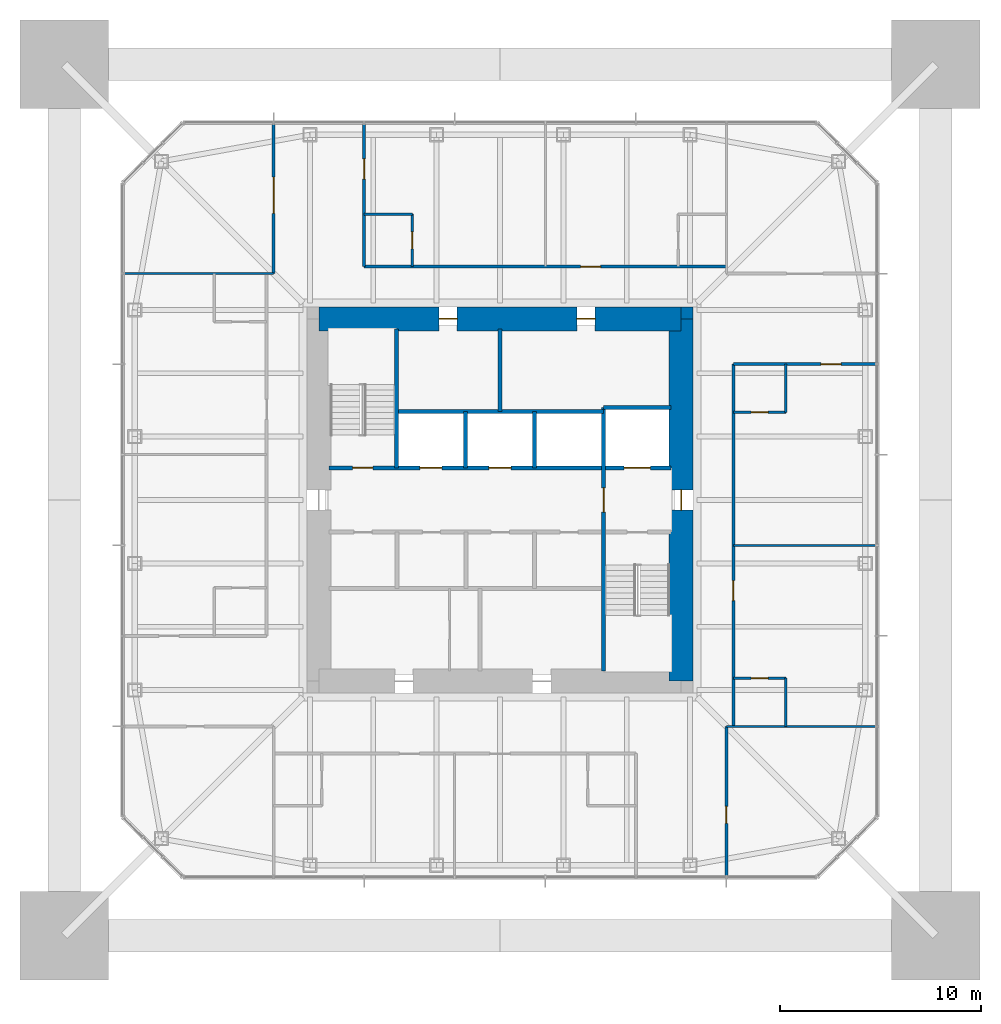
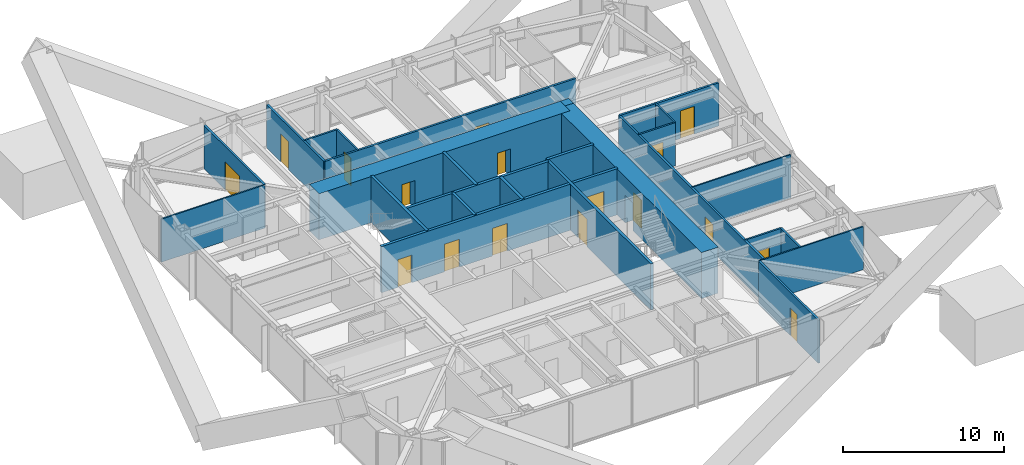
# One storey, part 9 of 13: 26 walls, 17 doors, 17 openings.
"""IFC4 building model written with IfcOpenShell, lengths in metres."""

import ifcopenshell
import ifcopenshell.guid

model = None  # the IFC model being written
_history = None  # IfcOwnerHistory: only IFC2X3 demands one
_inside = {}  # id of a spatial element -> (the spatial element, [elements in it])
_under = {}  # id of a project, library or spatial element -> (it, [spatial elements below it])
_declared = {}  # id of a project -> (the project, [libraries it declares])
_typed = {}  # id of a type object -> (the type object, [elements of that type])
_made_of = {}  # id of a material, layer set ... -> (it, [elements and type objects made of it])


def new_model(schema):
    """Start an empty IFC model of exactly this schema.

    Asked for "IFC4X3", IfcOpenShell would pick the latest addendum, in which some entities
    have other attributes; the version numbers below select the first issue.
    IFC2X3 requires an IfcOwnerHistory on every rooted entity: one is made here for all.
    """
    global model, _history
    if schema == "IFC4X3":
        model = ifcopenshell.file(schema_version=(4, 3, 0, 0))
    else:
        model = ifcopenshell.file(schema=schema)
    _inside.clear()
    _under.clear()
    _declared.clear()
    _typed.clear()
    _made_of.clear()
    _history = None
    if model.schema == "IFC2X3":
        org = make("IfcOrganization", Name="unknown")
        user = make(
            "IfcPersonAndOrganization",
            ThePerson=make("IfcPerson", FamilyName="unknown"),
            TheOrganization=org,
        )
        app = make(
            "IfcApplication",
            ApplicationDeveloper=org,
            Version="unknown",
            ApplicationFullName="unknown",
            ApplicationIdentifier="unknown",
        )
        _history = make(
            "IfcOwnerHistory",
            OwningUser=user,
            OwningApplication=app,
            ChangeAction="ADDED",
            CreationDate=0,
        )
    return model


def make(cls, **values):
    """One entity of the class cls with the attributes given. An attribute that is None is left unset."""
    return model.create_entity(
        cls, **{name: value for name, value in values.items() if value is not None}
    )


def rooted(cls, **values):
    """An entity with a GlobalId (a new one), such as an element, a storey or a relation."""
    return make(cls, GlobalId=ifcopenshell.guid.new(), OwnerHistory=_history, **values)


def si_unit(unit_type, name, prefix=None):
    """IfcSIUnit, for example si_unit("LENGTHUNIT", "METRE", prefix="MILLI")."""
    return make("IfcSIUnit", UnitType=unit_type, Prefix=prefix, Name=name)


def assignment(units):
    """IfcUnitAssignment: the units of a project."""
    return None if units is None else make("IfcUnitAssignment", Units=units)


def point(xyz):
    """IfcCartesianPoint."""
    return None if xyz is None else make("IfcCartesianPoint", Coordinates=xyz)


def direction(xyz):
    """IfcDirection."""
    return None if xyz is None else make("IfcDirection", DirectionRatios=xyz)


def frame(location, z_axis=None, x_axis=None):
    """IfcAxis2Placement3D, a coordinate frame: its origin and axes. An axis left out is left unset."""
    return make(
        "IfcAxis2Placement3D",
        Location=point(location),
        Axis=direction(z_axis),
        RefDirection=direction(x_axis),
    )


def frame_2d(location, x_axis=None):
    """IfcAxis2Placement2D, a coordinate frame in the plane: its origin and x axis."""
    return make(
        "IfcAxis2Placement2D", Location=point(location), RefDirection=direction(x_axis)
    )


def origin():
    """The frame at (0, 0, 0) with its axes left unset."""
    return frame((0.0, 0.0, 0.0))


def place(relative_to, where):
    """IfcLocalPlacement: puts the frame where relative to a parent placement (None: the world)."""
    return make(
        "IfcLocalPlacement", PlacementRelTo=relative_to, RelativePlacement=where
    )


def context(
    kind, dimensions, precision=None, world=None, true_north=None, identifier=None
):
    """IfcGeometricRepresentationContext, for example the 3D "Model" context."""
    return make(
        "IfcGeometricRepresentationContext",
        ContextIdentifier=identifier,
        ContextType=kind,
        CoordinateSpaceDimension=dimensions,
        Precision=precision,
        WorldCoordinateSystem=world,
        TrueNorth=true_north,
    )


def subcontext(parent, identifier, kind, view, scale=None):
    """IfcGeometricRepresentationSubContext, for example "Body" below "Model"."""
    return make(
        "IfcGeometricRepresentationSubContext",
        ContextIdentifier=identifier,
        ContextType=kind,
        ParentContext=parent,
        TargetScale=scale,
        TargetView=view,
    )


def project(units=None, contexts=None):
    """IfcProject with its units and contexts."""
    return rooted(
        "IfcProject",
        Name="project",
        RepresentationContexts=contexts,
        UnitsInContext=assignment(units),
    )


def spatial(cls, under=None, at=None, **own):
    """A site, building, storey or space (cls), placed at a placement, below another one or the project."""
    s = rooted(cls, ObjectPlacement=at, **own)
    if under is not None:
        _under.setdefault(under.id(), (under, []))[1].append(s)
    return s


def profile(cls, at=None, kind="AREA", **sizes):
    """A parametric profile (cls). Its sizes go by their IFC names, for example OverallWidth=200.0."""
    return make(cls, ProfileType=kind, Position=at, **sizes)


def rectangle(**sizes):
    """IfcRectangleProfileDef."""
    return profile("IfcRectangleProfileDef", **sizes)


def extrude(swept, where, along, depth):
    """IfcExtrudedAreaSolid: the profile swept, set in the frame where, extruded along a direction by depth."""
    return make(
        "IfcExtrudedAreaSolid",
        SweptArea=swept,
        Position=where,
        ExtrudedDirection=direction(along),
        Depth=depth,
    )


def shape(context_of_items, identifier, shape_type, items):
    """IfcShapeRepresentation: the items that make up one representation, for example the "Body"."""
    return make(
        "IfcShapeRepresentation",
        ContextOfItems=context_of_items,
        RepresentationIdentifier=identifier,
        RepresentationType=shape_type,
        Items=items,
    )


def material(Name=None, Category=None):
    """IfcMaterial."""
    return make("IfcMaterial", Name=Name, Category=Category)


def layer(
    of_material, thickness, ventilated=None, Name=None, Category=None, Priority=None
):
    """IfcMaterialLayer: one layer of a wall or slab, of a material (None: an air gap)."""
    return make(
        "IfcMaterialLayer",
        Material=of_material,
        LayerThickness=thickness,
        IsVentilated=ventilated,
        Name=Name,
        Category=Category,
        Priority=Priority,
    )


def layer_set(layers, Name=None):
    """IfcMaterialLayerSet."""
    return make("IfcMaterialLayerSet", MaterialLayers=layers, LayerSetName=Name)


def made_of(thing, what):
    """Note that an element or type object is made of a material, layer set ...; save() writes the relation."""
    if what is not None:
        _made_of.setdefault(what.id(), (what, []))[1].append(thing)
    return thing


def type_object(cls, material=None, **own):
    """A type object (cls), such as IfcWallType, which elements share."""
    return made_of(rooted(cls, **own), material)


def element(
    cls,
    number,
    at=None,
    inside=None,
    cuts=None,
    type_object=None,
    material=None,
    context=None,
    identifier="Body",
    shape_type=None,
    held_by="IfcProductDefinitionShape",
    body=None,
    shapes=None,
    **own,
):
    """One element of the class cls, such as IfcWall. Its Tag is "e" and its number.

    at: its placement. inside: the storey or other place that contains it. cuts: it is an
    opening in that element (IfcRelVoidsElement). A single representation is given by context,
    identifier, shape_type and body (its items); several are given by shapes. held_by: the class
    of the entity that holds the representations. save() writes the other relations.
    """
    e = rooted(cls, Tag="e%d" % number, ObjectPlacement=at, **own)
    if body is not None:
        shapes = [shape(context, identifier, shape_type, body)]
    if shapes is not None:
        e.Representation = make(held_by, Representations=shapes)
    if inside is not None:
        _inside.setdefault(inside.id(), (inside, []))[1].append(e)
    if cuts is not None:
        rooted(
            "IfcRelVoidsElement", RelatingBuildingElement=cuts, RelatedOpeningElement=e
        )
    if type_object is not None:
        _typed.setdefault(type_object.id(), (type_object, []))[1].append(e)
    return made_of(e, material)


def fill(opening, filler):
    """IfcRelFillsElement: the door or window that sits in an opening."""
    return rooted(
        "IfcRelFillsElement",
        RelatingOpeningElement=opening,
        RelatedBuildingElement=filler,
    )


def aggregate(whole, parts):
    """IfcRelAggregates: a whole, such as a stair, and the parts it consists of."""
    return rooted("IfcRelAggregates", RelatingObject=whole, RelatedObjects=parts)


def save(model, path):
    """Write the relations noted so far, then the file.

    IfcRelAggregates (storeys below a building ...), IfcRelContainedInSpatialStructure (elements
    in a storey), IfcRelDefinesByType, IfcRelAssociatesMaterial and IfcRelDeclares: one each for
    every whole, place, type object, material and project.
    """
    for whole, parts in _under.values():
        aggregate(whole, parts)
    for where, things in _inside.values():
        rooted(
            "IfcRelContainedInSpatialStructure",
            RelatedElements=things,
            RelatingStructure=where,
        )
    for kind, things in _typed.values():
        rooted("IfcRelDefinesByType", RelatedObjects=things, RelatingType=kind)
    for what, things in _made_of.values():
        rooted("IfcRelAssociatesMaterial", RelatedObjects=things, RelatingMaterial=what)
    for by, libraries in _declared.values():
        rooted("IfcRelDeclares", RelatingContext=by, RelatedDefinitions=libraries)
    model.write(path)


model = new_model("IFC4")

# Units and contexts
model_context = context("Model", 3, precision=1e-05, world=origin(), true_north=direction((0.0, 1.0)))
body_context = subcontext(model_context, "Body", "Model", "MODEL_VIEW")
ifc_project = project(units=[si_unit("LENGTHUNIT", "METRE"), si_unit("AREAUNIT", "SQUARE_METRE"), si_unit("VOLUMEUNIT", "CUBIC_METRE"), si_unit("PLANEANGLEUNIT", "RADIAN"), si_unit("MASSUNIT", "GRAM", prefix="KILO")], contexts=[model_context])

# Site, building, storey
site_placement = place(None, origin())
site = spatial("IfcSite", under=ifc_project, at=site_placement, CompositionType="ELEMENT")
building_placement = place(site_placement, origin())
building = spatial("IfcBuilding", under=site, at=building_placement, Name="Iwan Alto Co-Living Towers", CompositionType="ELEMENT")
storey_placement = place(building_placement, frame((0.0, 0.0, 198.5)))
storey = spatial("IfcBuildingStorey", under=building, at=storey_placement, Name="L54", CompositionType="ELEMENT", Elevation=198.5)

# Wall, opening, door
ifc_material_1 = material(Name="Gypsum board")
ifc_layer_1 = layer(ifc_material_1, 0.02490234375, Name="Board", Category="Finish")
ifc_material_2 = material(Name="Steel ASTM A1003 ST33H cold-formed studs", Category="steel")
ifc_layer_2 = layer(ifc_material_2, 0.10009765625, Name="Studs", Category="Framing")
ifc_layer_3 = layer(ifc_material_1, 0.02490234375, Name="Board", Category="Finish")
ifc_layer_set_1 = layer_set([ifc_layer_1, ifc_layer_2, ifc_layer_3], Name="CORRIDOR WALL 150")
wall_type_1 = type_object("IfcWallType", Name="CORRIDOR WALL 150", PredefinedType="PARTITIONING", material=ifc_layer_set_1)
wall_1_placement = place(storey_placement, frame((11.60009765625, 6.75, 0.0), z_axis=(0.0, 0.0, 1.0), x_axis=(1.0, 0.0, 0.0)))
wall_1 = element("IfcWall", 1, at=wall_1_placement, inside=storey, type_object=wall_type_1, Name="Partition L54", PredefinedType="PARTITIONING", context=body_context, shape_type="SweptSolid", body=[
    extrude(rectangle(XDim=7.08984375, YDim=0.14990234375, at=frame_2d((3.544921875, 0.0))), origin(), (0.0, 0.0, 1.0), 3.27001953125),
])
opening_1_placement = place(wall_1_placement, frame((4.344970703125, 0.0, 0.0)))
opening_1 = element("IfcOpeningElement", 2, at=opening_1_placement, cuts=wall_1, Name="Opening D3", PredefinedType="OPENING", context=body_context, shape_type="SweptSolid", body=[
    extrude(rectangle(XDim=1.0, YDim=2.10009765625, at=frame_2d((0.5, 1.050048828125))), frame((0.0, 0.0849609375, 0.0), z_axis=(0.0, -1.0, 0.0), x_axis=(1.0, 0.0, 0.0)), (0.0, 0.0, 1.0), 0.169921875),
])
ifc_material_3 = material(Name="Steel frame with timber leaf", Category="steel")
door_type_1 = type_object("IfcDoorType", Name="FLAT ENTRANCE DOOR FD30S 1000X2100", OperationType="SINGLE_SWING_LEFT", PredefinedType="DOOR", material=ifc_material_3)
door_1_placement = place(opening_1_placement, frame((1.0, 0.0, 0.0), z_axis=(0.0, 0.0, 1.0), x_axis=(-1.0, 0.0, 0.0)))
door_1 = element("IfcDoor", 3, at=door_1_placement, inside=storey, type_object=door_type_1, Name="Studio door L54", OperationType="SINGLE_SWING_RIGHT", OverallHeight=2.10009765625, OverallWidth=1.0, PredefinedType="DOOR", context=body_context, shape_type="SweptSolid", body=[
    extrude(rectangle(XDim=1.0, YDim=2.10009765625, at=frame_2d((0.5, 1.050048828125))), frame((0.0, 0.02490234375, 0.0), z_axis=(0.0, -1.0, 0.0), x_axis=(1.0, 0.0, 0.0)), (0.0, 0.0, 1.0), 0.050048828125),
])
fill(opening_1, door_1)

wall_2_placement = place(storey_placement, frame((-6.75, 11.60009765625, 0.0), z_axis=(0.0, 0.0, 1.0), x_axis=(1.0, 0.0, 0.0)))
wall_2 = element("IfcWall", 4, at=wall_2_placement, inside=storey, type_object=wall_type_1, Name="Partition L54", PredefinedType="PARTITIONING", context=body_context, shape_type="SweptSolid", body=[
    extrude(rectangle(XDim=18.0, YDim=0.14990234375, at=frame_2d((9.0, 0.0))), origin(), (0.0, 0.0, 1.0), 3.27001953125),
])
opening_2_placement = place(wall_2_placement, frame((10.75, 0.0, 0.0)))
opening_2 = element("IfcOpeningElement", 5, at=opening_2_placement, cuts=wall_2, Name="Opening D3", PredefinedType="OPENING", context=body_context, shape_type="SweptSolid", body=[
    extrude(rectangle(XDim=1.0, YDim=2.10009765625, at=frame_2d((0.5, 1.050048828125))), frame((0.0, 0.0849609375, 0.0), z_axis=(0.0, -1.0, 0.0), x_axis=(1.0, 0.0, 0.0)), (0.0, 0.0, 1.0), 0.169921875),
])
door_2_placement = place(opening_2_placement, origin())
door_2 = element("IfcDoor", 6, at=door_2_placement, inside=storey, type_object=door_type_1, Name="Studio door L54", OperationType="SINGLE_SWING_LEFT", OverallHeight=2.10009765625, OverallWidth=1.0, PredefinedType="DOOR", context=body_context, shape_type="SweptSolid", body=[
    extrude(rectangle(XDim=1.0, YDim=2.10009765625, at=frame_2d((0.5, 1.050048828125))), frame((0.0, 0.02490234375, 0.0), z_axis=(0.0, -1.0, 0.0), x_axis=(1.0, 0.0, 0.0)), (0.0, 0.0, 1.0), 0.050048828125),
])
fill(opening_2, door_2)

wall_3_placement = place(storey_placement, frame((11.60009765625, -11.25, 0.0), z_axis=(0.0, 0.0, 1.0), x_axis=(0.0, 1.0, 0.0)))
wall_3 = element("IfcWall", 7, at=wall_3_placement, inside=storey, type_object=wall_type_1, Name="Partition L54", PredefinedType="PARTITIONING", context=body_context, shape_type="SweptSolid", body=[
    extrude(rectangle(XDim=18.0, YDim=0.14990234375, at=frame_2d((9.0, 0.0))), origin(), (0.0, 0.0, 1.0), 3.27001953125),
])
opening_3_placement = place(wall_3_placement, frame((6.25, 0.0, 0.0)))
opening_3 = element("IfcOpeningElement", 8, at=opening_3_placement, cuts=wall_3, Name="Opening D3", PredefinedType="OPENING", context=body_context, shape_type="SweptSolid", body=[
    extrude(rectangle(XDim=1.0, YDim=2.10009765625, at=frame_2d((0.5, 1.050048828125))), frame((0.0, 0.0849609375, 0.0), z_axis=(0.0, -1.0, 0.0), x_axis=(1.0, 0.0, 0.0)), (0.0, 0.0, 1.0), 0.169921875),
])
door_3_placement = place(opening_3_placement, frame((1.0, 0.0, 0.0), z_axis=(0.0, 0.0, 1.0), x_axis=(-1.0, 0.0, 0.0)))
door_3 = element("IfcDoor", 9, at=door_3_placement, inside=storey, type_object=door_type_1, Name="Studio door L54", OperationType="SINGLE_SWING_LEFT", OverallHeight=2.10009765625, OverallWidth=1.0, PredefinedType="DOOR", context=body_context, shape_type="SweptSolid", body=[
    extrude(rectangle(XDim=1.0, YDim=2.10009765625, at=frame_2d((0.5, 1.050048828125))), frame((0.0, 0.02490234375, 0.0), z_axis=(0.0, -1.0, 0.0), x_axis=(1.0, 0.0, 0.0)), (0.0, 0.0, 1.0), 0.050048828125),
])
fill(opening_3, door_3)

wall_4_placement = place(storey_placement, frame((11.25, -18.68994140625, 0.0), z_axis=(0.0, 0.0, 1.0), x_axis=(0.0, 1.0, 0.0)))
wall_4 = element("IfcWall", 10, at=wall_4_placement, inside=storey, type_object=wall_type_1, Name="Partition L54", PredefinedType="PARTITIONING", context=body_context, shape_type="SweptSolid", body=[
    extrude(rectangle(XDim=7.43994140625, YDim=0.14990234375, at=frame_2d((3.719970703125, 0.0))), origin(), (0.0, 0.0, 1.0), 3.27001953125),
])
opening_4_placement = place(wall_4_placement, frame((2.6201171875, 0.0, 0.0)))
opening_4 = element("IfcOpeningElement", 11, at=opening_4_placement, cuts=wall_4, Name="Opening D2", PredefinedType="OPENING", context=body_context, shape_type="SweptSolid", body=[
    extrude(rectangle(XDim=0.85009765625, YDim=2.10009765625, at=frame_2d((0.425048828125, 1.050048828125))), frame((0.0, 0.0849609375, 0.0), z_axis=(0.0, -1.0, 0.0), x_axis=(1.0, 0.0, 0.0)), (0.0, 0.0, 1.0), 0.169921875),
])
ifc_material_4 = material(Name="Timber leaf in steel frame", Category="steel")
door_type_2 = type_object("IfcDoorType", Name="ROOM DOOR 850X2100", OperationType="SINGLE_SWING_LEFT", PredefinedType="DOOR", material=ifc_material_4)
door_4_placement = place(opening_4_placement, frame((0.85009765625, 0.0, 0.0), z_axis=(0.0, 0.0, 1.0), x_axis=(-1.0, 0.0, 0.0)))
door_4 = element("IfcDoor", 12, at=door_4_placement, inside=storey, type_object=door_type_2, Name="Shared kitchen and lounge door L54", OperationType="SINGLE_SWING_RIGHT", OverallHeight=2.10009765625, OverallWidth=0.85009765625, PredefinedType="DOOR", context=body_context, shape_type="SweptSolid", body=[
    extrude(rectangle(XDim=0.85009765625, YDim=2.10009765625, at=frame_2d((0.425048828125, 1.050048828125))), frame((0.0, 0.02490234375, 0.0), z_axis=(0.0, -1.0, 0.0), x_axis=(1.0, 0.0, 0.0)), (0.0, 0.0, 1.0), 0.050048828125),
])
fill(opening_4, door_4)

wall_5_placement = place(storey_placement, frame((-6.75, 11.60009765625, 0.0), z_axis=(0.0, 0.0, 1.0), x_axis=(0.0, 1.0, 0.0)))
wall_5 = element("IfcWall", 13, at=wall_5_placement, inside=storey, type_object=wall_type_1, Name="Partition L54", PredefinedType="PARTITIONING", context=body_context, shape_type="SweptSolid", body=[
    extrude(rectangle(XDim=7.08984375, YDim=0.14990234375, at=frame_2d((3.544921875, 0.0))), origin(), (0.0, 0.0, 1.0), 3.27001953125),
])
opening_5_placement = place(wall_5_placement, frame((4.344970703125, 0.0, 0.0)))
opening_5 = element("IfcOpeningElement", 14, at=opening_5_placement, cuts=wall_5, Name="Opening D3", PredefinedType="OPENING", context=body_context, shape_type="SweptSolid", body=[
    extrude(rectangle(XDim=1.0, YDim=2.10009765625, at=frame_2d((0.5, 1.050048828125))), frame((0.0, 0.0849609375, 0.0), z_axis=(0.0, -1.0, 0.0), x_axis=(1.0, 0.0, 0.0)), (0.0, 0.0, 1.0), 0.169921875),
])
door_5_placement = place(opening_5_placement, frame((1.0, 0.0, 0.0), z_axis=(0.0, 0.0, 1.0), x_axis=(-1.0, 0.0, 0.0)))
door_5 = element("IfcDoor", 15, at=door_5_placement, inside=storey, type_object=door_type_1, Name="Studio door L54", OperationType="SINGLE_SWING_RIGHT", OverallHeight=2.10009765625, OverallWidth=1.0, PredefinedType="DOOR", context=body_context, shape_type="SweptSolid", body=[
    extrude(rectangle(XDim=1.0, YDim=2.10009765625, at=frame_2d((0.5, 1.050048828125))), frame((0.0, 0.02490234375, 0.0), z_axis=(0.0, -1.0, 0.0), x_axis=(1.0, 0.0, 0.0)), (0.0, 0.0, 1.0), 0.050048828125),
])
fill(opening_5, door_5)

wall_6_placement = place(storey_placement, frame((-11.25, 11.25, 0.0), z_axis=(0.0, 0.0, 1.0), x_axis=(0.0, 1.0, 0.0)))
wall_6 = element("IfcWall", 16, at=wall_6_placement, inside=storey, type_object=wall_type_1, Name="Partition L54", PredefinedType="PARTITIONING", context=body_context, shape_type="SweptSolid", body=[
    extrude(rectangle(XDim=7.43994140625, YDim=0.14990234375, at=frame_2d((3.719970703125, 0.0))), origin(), (0.0, 0.0, 1.0), 3.27001953125),
])
opening_6_placement = place(wall_6_placement, frame((2.9951171875, 0.0, 0.0)))
opening_6 = element("IfcOpeningElement", 17, at=opening_6_placement, cuts=wall_6, Name="Opening D9", PredefinedType="OPENING", context=body_context, shape_type="SweptSolid", body=[
    extrude(rectangle(XDim=1.800048828125, YDim=2.10009765625, at=frame_2d((0.89990234375, 1.050048828125))), frame((0.0, 0.0849609375, 0.0), z_axis=(0.0, -1.0, 0.0), x_axis=(1.0, 0.0, 0.0)), (0.0, 0.0, 1.0), 0.169921875),
])
ifc_material_5 = material(Name="Steel frame with timber leaf", Category="steel")
door_type_3 = type_object("IfcDoorType", Name="LOUNGE DOOR FD30S 1800X2100", OperationType="DOUBLE_DOOR_SINGLE_SWING", PredefinedType="DOOR", material=ifc_material_5)
door_6_placement = place(opening_6_placement, origin())
door_6 = element("IfcDoor", 18, at=door_6_placement, inside=storey, type_object=door_type_3, Name="Courtyard lounge door L54", OperationType="DOUBLE_DOOR_SINGLE_SWING", OverallHeight=2.10009765625, OverallWidth=1.800048828125, PredefinedType="DOOR", context=body_context, shape_type="SweptSolid", body=[
    extrude(rectangle(XDim=1.800048828125, YDim=2.10009765625, at=frame_2d((0.89990234375, 1.050048828125))), frame((0.0, 0.02490234375, 0.0), z_axis=(0.0, -1.0, 0.0), x_axis=(1.0, 0.0, 0.0)), (0.0, 0.0, 1.0), 0.050048828125),
])
fill(opening_6, door_6)

# Walls
ifc_layer_4 = layer(ifc_material_1, 0.012451171875, Name="Board", Category="Finish")
ifc_layer_5 = layer(ifc_material_2, 0.074951171875, Name="Studs", Category="Framing")
ifc_layer_6 = layer(ifc_material_1, 0.012451171875, Name="Board", Category="Finish")
ifc_layer_set_2 = layer_set([ifc_layer_4, ifc_layer_5, ifc_layer_6], Name="PARTITION 100")
wall_type_2 = type_object("IfcWallType", Name="PARTITION 100", PredefinedType="PARTITIONING", material=ifc_layer_set_2)
wall_7_placement = place(storey_placement, frame((11.25, -11.25, 0.0), z_axis=(0.0, 0.0, 1.0), x_axis=(1.0, 0.0, 0.0)))
element("IfcWall", 19, at=wall_7_placement, inside=storey, type_object=wall_type_2, Name="Partition L54", PredefinedType="PARTITIONING", context=body_context, shape_type="SweptSolid", body=[
    extrude(rectangle(XDim=7.43994140625, YDim=0.10009765625, at=frame_2d((3.719970703125, 0.0))), origin(), (0.0, 0.0, 1.0), 3.27001953125),
])
wall_8_placement = place(storey_placement, frame((11.60009765625, -2.25, 0.0), z_axis=(0.0, 0.0, 1.0), x_axis=(1.0, 0.0, 0.0)))
element("IfcWall", 20, at=wall_8_placement, inside=storey, type_object=wall_type_2, Name="Partition L54", PredefinedType="PARTITIONING", context=body_context, shape_type="SweptSolid", body=[
    extrude(rectangle(XDim=7.08984375, YDim=0.10009765625, at=frame_2d((3.544921875, 0.0))), origin(), (0.0, 0.0, 1.0), 3.27001953125),
])
wall_9_placement = place(storey_placement, frame((-18.68994140625, 11.25, 0.0), z_axis=(0.0, 0.0, 1.0), x_axis=(1.0, 0.0, 0.0)))
element("IfcWall", 21, at=wall_9_placement, inside=storey, type_object=wall_type_2, Name="Partition L54", PredefinedType="PARTITIONING", context=body_context, shape_type="SweptSolid", body=[
    extrude(rectangle(XDim=7.43994140625, YDim=0.10009765625, at=frame_2d((3.719970703125, 0.0))), origin(), (0.0, 0.0, 1.0), 3.27001953125),
])

# Wall, openings, doors
ifc_material_6 = material(Name="Concrete f'c 70 MPa", Category="concrete")
ifc_layer_7 = layer(ifc_material_6, 0.199951171875)
ifc_layer_set_3 = layer_set([ifc_layer_7], Name="SHAFT WALL 200")
wall_type_3 = type_object("IfcWallType", Name="SHAFT WALL 200", PredefinedType="SOLIDWALL", material=ifc_layer_set_3)
wall_10_placement = place(storey_placement, frame((-8.489990234375, 1.60009765625, 0.0), z_axis=(0.0, 0.0, 1.0), x_axis=(1.0, 0.0, 0.0)))
wall_10 = element("IfcWall", 22, at=wall_10_placement, inside=storey, type_object=wall_type_3, Name="Shaft wall L54", PredefinedType="SOLIDWALL", context=body_context, shape_type="SweptSolid", body=[
    extrude(rectangle(XDim=16.97998046875, YDim=0.199951171875, at=frame_2d((8.489990234375, 0.0))), origin(), (0.0, 0.0, 1.0), 3.5),
])
opening_7_placement = place(wall_10_placement, frame((1.169921875, 0.0, 0.0)))
opening_7 = element("IfcOpeningElement", 23, at=opening_7_placement, cuts=wall_10, Name="Opening D5", PredefinedType="OPENING", context=body_context, shape_type="SweptSolid", body=[
    extrude(rectangle(XDim=1.0, YDim=2.10009765625, at=frame_2d((0.5, 1.050048828125))), frame((0.0, 0.10986328125, 0.0), z_axis=(0.0, -1.0, 0.0), x_axis=(1.0, 0.0, 0.0)), (0.0, 0.0, 1.0), 0.219970703125),
])
opening_8_placement = place(wall_10_placement, frame((4.506103515625, 0.0, 0.0)))
opening_8 = element("IfcOpeningElement", 24, at=opening_8_placement, cuts=wall_10, Name="Opening LD", PredefinedType="OPENING", context=body_context, shape_type="SweptSolid", body=[
    extrude(rectangle(XDim=1.10009765625, YDim=2.10009765625, at=frame_2d((0.550048828125, 1.050048828125))), frame((0.0, 0.10986328125, 0.0), z_axis=(0.0, -1.0, 0.0), x_axis=(1.0, 0.0, 0.0)), (0.0, 0.0, 1.0), 0.219970703125),
])
opening_9_placement = place(wall_10_placement, frame((7.93994140625, 0.0, 0.0)))
opening_9 = element("IfcOpeningElement", 25, at=opening_9_placement, cuts=wall_10, Name="Opening LD", PredefinedType="OPENING", context=body_context, shape_type="SweptSolid", body=[
    extrude(rectangle(XDim=1.10009765625, YDim=2.10009765625, at=frame_2d((0.550048828125, 1.050048828125))), frame((0.0, 0.10986328125, 0.0), z_axis=(0.0, -1.0, 0.0), x_axis=(1.0, 0.0, 0.0)), (0.0, 0.0, 1.0), 0.219970703125),
])
opening_10_placement = place(wall_10_placement, frame((14.659912109375, 0.0, 0.0)))
opening_10 = element("IfcOpeningElement", 26, at=opening_10_placement, cuts=wall_10, Name="Opening LD2", PredefinedType="OPENING", context=body_context, shape_type="SweptSolid", body=[
    extrude(rectangle(XDim=1.300048828125, YDim=2.10009765625, at=frame_2d((0.64990234375, 1.050048828125))), frame((0.0, 0.10986328125, 0.0), z_axis=(0.0, -1.0, 0.0), x_axis=(1.0, 0.0, 0.0)), (0.0, 0.0, 1.0), 0.219970703125),
])
ifc_material_7 = material(Name="Steel frame with timber leaf", Category="steel")
door_type_4 = type_object("IfcDoorType", Name="LIFT LANDING DOOR 1100X2100", OperationType="DOUBLE_DOOR_SLIDING", PredefinedType="DOOR", material=ifc_material_7)
door_7_placement = place(opening_8_placement, origin())
door_7 = element("IfcDoor", 27, at=door_7_placement, inside=storey, type_object=door_type_4, Name="Lift P3-1 landing door L54", OperationType="DOUBLE_DOOR_SLIDING", OverallHeight=2.10009765625, OverallWidth=1.10009765625, PredefinedType="DOOR", context=body_context, shape_type="SweptSolid", body=[
    extrude(rectangle(XDim=1.10009765625, YDim=2.10009765625, at=frame_2d((0.550048828125, 1.050048828125))), frame((0.0, 0.02490234375, 0.0), z_axis=(0.0, -1.0, 0.0), x_axis=(1.0, 0.0, 0.0)), (0.0, 0.0, 1.0), 0.050048828125),
])
fill(opening_8, door_7)
door_8_placement = place(opening_9_placement, origin())
door_8 = element("IfcDoor", 28, at=door_8_placement, inside=storey, type_object=door_type_4, Name="Lift P3-2 landing door L54", OperationType="DOUBLE_DOOR_SLIDING", OverallHeight=2.10009765625, OverallWidth=1.10009765625, PredefinedType="DOOR", context=body_context, shape_type="SweptSolid", body=[
    extrude(rectangle(XDim=1.10009765625, YDim=2.10009765625, at=frame_2d((0.550048828125, 1.050048828125))), frame((0.0, 0.02490234375, 0.0), z_axis=(0.0, -1.0, 0.0), x_axis=(1.0, 0.0, 0.0)), (0.0, 0.0, 1.0), 0.050048828125),
])
fill(opening_9, door_8)
ifc_material_8 = material(Name="Steel frame with timber leaf", Category="steel")
door_type_5 = type_object("IfcDoorType", Name="LIFT LANDING DOOR 1300X2100", OperationType="SLIDING_TO_LEFT", PredefinedType="DOOR", material=ifc_material_8)
door_9_placement = place(opening_10_placement, origin())
door_9 = element("IfcDoor", 29, at=door_9_placement, inside=storey, type_object=door_type_5, Name="Lift FL1 landing door L54", OperationType="SLIDING_TO_LEFT", OverallHeight=2.10009765625, OverallWidth=1.300048828125, PredefinedType="DOOR", context=body_context, shape_type="SweptSolid", body=[
    extrude(rectangle(XDim=1.300048828125, YDim=2.10009765625, at=frame_2d((0.64990234375, 1.050048828125))), frame((0.0, 0.02490234375, 0.0), z_axis=(0.0, -1.0, 0.0), x_axis=(1.0, 0.0, 0.0)), (0.0, 0.0, 1.0), 0.050048828125),
])
fill(opening_10, door_9)
ifc_material_9 = material(Name="Steel frame with timber leaf", Category="steel")
door_type_6 = type_object("IfcDoorType", Name="STAIR DOOR FD120S 1000X2100", OperationType="SINGLE_SWING_LEFT", PredefinedType="DOOR", material=ifc_material_9)
door_10_placement = place(opening_7_placement, origin())
door_10 = element("IfcDoor", 30, at=door_10_placement, inside=storey, type_object=door_type_6, Name="Stair S1 door L54", OperationType="SINGLE_SWING_RIGHT", OverallHeight=2.10009765625, OverallWidth=1.0, PredefinedType="DOOR", context=body_context, shape_type="SweptSolid", body=[
    extrude(rectangle(XDim=1.0, YDim=2.10009765625, at=frame_2d((0.5, 1.050048828125))), frame((0.0, 0.02490234375, 0.0), z_axis=(0.0, -1.0, 0.0), x_axis=(1.0, 0.0, 0.0)), (0.0, 0.0, 1.0), 0.050048828125),
])
fill(opening_7, door_10)

# Walls
wall_11_placement = place(storey_placement, frame((-5.14990234375, 4.39990234375, 0.0), z_axis=(0.0, 0.0, 1.0), x_axis=(1.0, 0.0, 0.0)))
element("IfcWall", 31, at=wall_11_placement, inside=storey, type_object=wall_type_3, Name="Shaft wall L54", PredefinedType="SOLIDWALL", context=body_context, shape_type="SweptSolid", body=[
    extrude(rectangle(XDim=10.2998046875, YDim=0.199951171875, at=frame_2d((5.14990234375, 0.0))), origin(), (0.0, 0.0, 1.0), 3.5),
])
wall_12_placement = place(storey_placement, frame((5.14990234375, 4.60009765625, 0.0), z_axis=(0.0, 0.0, 1.0), x_axis=(1.0, 0.0, 0.0)))
element("IfcWall", 32, at=wall_12_placement, inside=storey, type_object=wall_type_3, Name="Shaft wall L54", PredefinedType="SOLIDWALL", context=body_context, shape_type="SweptSolid", body=[
    extrude(rectangle(XDim=3.340087890625, YDim=0.199951171875, at=frame_2d((1.669921875, 0.0))), origin(), (0.0, 0.0, 1.0), 3.5),
])

# Wall, opening, door
wall_13_placement = place(storey_placement, frame((5.14990234375, -8.489990234375, 0.0), z_axis=(0.0, 0.0, 1.0), x_axis=(0.0, 1.0, 0.0)))
wall_13 = element("IfcWall", 33, at=wall_13_placement, inside=storey, type_object=wall_type_3, Name="Shaft wall L54", PredefinedType="SOLIDWALL", context=body_context, shape_type="SweptSolid", body=[
    extrude(rectangle(XDim=13.090087890625, YDim=0.199951171875, at=frame_2d((6.544921875, 0.0))), origin(), (0.0, 0.0, 1.0), 3.5),
])
opening_11_placement = place(wall_13_placement, frame((7.889892578125, 0.0, 0.0)))
opening_11 = element("IfcOpeningElement", 34, at=opening_11_placement, cuts=wall_13, Name="Opening D6", PredefinedType="OPENING", context=body_context, shape_type="SweptSolid", body=[
    extrude(rectangle(XDim=1.199951171875, YDim=2.10009765625, at=frame_2d((0.60009765625, 1.050048828125))), frame((0.0, 0.10986328125, 0.0), z_axis=(0.0, -1.0, 0.0), x_axis=(1.0, 0.0, 0.0)), (0.0, 0.0, 1.0), 0.219970703125),
])
ifc_material_10 = material(Name="Steel frame with timber leaf", Category="steel")
door_type_7 = type_object("IfcDoorType", Name="LOBBY DOOR FD120S 1200X2100", OperationType="SINGLE_SWING_LEFT", PredefinedType="DOOR", material=ifc_material_10)
door_11_placement = place(opening_11_placement, frame((1.199951171875, 0.0, 0.0), z_axis=(0.0, 0.0, 1.0), x_axis=(-1.0, 0.0, 0.0)))
door_11 = element("IfcDoor", 35, at=door_11_placement, inside=storey, type_object=door_type_7, Name="Firefighting lobby door L54", OperationType="SINGLE_SWING_RIGHT", OverallHeight=2.10009765625, OverallWidth=1.199951171875, PredefinedType="DOOR", context=body_context, shape_type="SweptSolid", body=[
    extrude(rectangle(XDim=1.199951171875, YDim=2.10009765625, at=frame_2d((0.60009765625, 1.050048828125))), frame((0.0, 0.02490234375, 0.0), z_axis=(0.0, -1.0, 0.0), x_axis=(1.0, 0.0, 0.0)), (0.0, 0.0, 1.0), 0.050048828125),
])
fill(opening_11, door_11)

# Walls
wall_14_placement = place(storey_placement, frame((1.717041015625, 1.60009765625, 0.0), z_axis=(0.0, 0.0, 1.0), x_axis=(0.0, 1.0, 0.0)))
element("IfcWall", 36, at=wall_14_placement, inside=storey, type_object=wall_type_3, Name="Shaft wall L54", PredefinedType="SOLIDWALL", context=body_context, shape_type="SweptSolid", body=[
    extrude(rectangle(XDim=2.7998046875, YDim=0.199951171875, at=frame_2d((1.39990234375, 0.0))), origin(), (0.0, 0.0, 1.0), 3.5),
])
wall_15_placement = place(storey_placement, frame((0.0, 4.39990234375, 0.0), z_axis=(0.0, 0.0, 1.0), x_axis=(0.0, 1.0, 0.0)))
element("IfcWall", 37, at=wall_15_placement, inside=storey, type_object=wall_type_3, Name="Shaft wall L54", PredefinedType="SOLIDWALL", context=body_context, shape_type="SweptSolid", body=[
    extrude(rectangle(XDim=4.090087890625, YDim=0.199951171875, at=frame_2d((2.044921875, 0.0))), origin(), (0.0, 0.0, 1.0), 3.5),
])
wall_16_placement = place(storey_placement, frame((-1.717041015625, 1.60009765625, 0.0), z_axis=(0.0, 0.0, 1.0), x_axis=(0.0, 1.0, 0.0)))
element("IfcWall", 38, at=wall_16_placement, inside=storey, type_object=wall_type_3, Name="Shaft wall L54", PredefinedType="SOLIDWALL", context=body_context, shape_type="SweptSolid", body=[
    extrude(rectangle(XDim=2.7998046875, YDim=0.199951171875, at=frame_2d((1.39990234375, 0.0))), origin(), (0.0, 0.0, 1.0), 3.5),
])
wall_17_placement = place(storey_placement, frame((-5.14990234375, 1.60009765625, 0.0), z_axis=(0.0, 0.0, 1.0), x_axis=(0.0, 1.0, 0.0)))
element("IfcWall", 39, at=wall_17_placement, inside=storey, type_object=wall_type_3, Name="Shaft wall L54", PredefinedType="SOLIDWALL", context=body_context, shape_type="SweptSolid", body=[
    extrude(rectangle(XDim=6.889892578125, YDim=0.199951171875, at=frame_2d((3.44482421875, 0.0))), origin(), (0.0, 0.0, 1.0), 3.5),
])
ifc_material_11 = material(Name="Concrete f'c 70 MPa", Category="concrete")
ifc_layer_8 = layer(ifc_material_11, 0.60009765625)
ifc_layer_set_4 = layer_set([ifc_layer_8], Name="T1 CORE CORNER FILL 600")
wall_type_4 = type_object("IfcWallType", Name="T1 CORE CORNER FILL 600", PredefinedType="SOLIDWALL", material=ifc_layer_set_4)
wall_18_placement = place(storey_placement, frame((9.0, 9.300048828125, 0.0), z_axis=(0.0, 0.0, 1.0), x_axis=(1.0, 0.0, 0.0)))
element("IfcWall", 40, at=wall_18_placement, inside=storey, type_object=wall_type_4, Name="T1 core corner NE L54", PredefinedType="SOLIDWALL", context=body_context, shape_type="SweptSolid", body=[
    extrude(rectangle(XDim=0.60009765625, YDim=0.60009765625, at=frame_2d((0.300048828125, 0.0))), origin(), (0.0, 0.0, 1.0), 3.5),
])

# Wall, openings, doors
ifc_material_12 = material(Name="Concrete f'c 70 MPa", Category="concrete")
ifc_layer_9 = layer(ifc_material_12, 1.199951171875)
ifc_layer_set_5 = layer_set([ifc_layer_9], Name="T1 CORE WALL 1200")
wall_type_5 = type_object("IfcWallType", Name="T1 CORE WALL 1200", PredefinedType="SHEAR", material=ifc_layer_set_5)
wall_19_placement = place(storey_placement, frame((9.0, 9.0, 0.0), z_axis=(0.0, 0.0, 1.0), x_axis=(-1.0, 0.0, 0.0)))
wall_19 = element("IfcWall", 41, at=wall_19_placement, inside=storey, type_object=wall_type_5, Name="T1 core wall N L54", PredefinedType="SHEAR", context=body_context, shape_type="SweptSolid", body=[
    extrude(rectangle(XDim=18.0, YDim=1.199951171875, at=frame_2d((9.0, 0.0))), origin(), (0.0, 0.0, 1.0), 3.5),
])
opening_12_placement = place(wall_19_placement, frame((11.125, 0.0, 0.0)))
opening_12 = element("IfcOpeningElement", 42, at=opening_12_placement, cuts=wall_19, Name="Opening D8", PredefinedType="OPENING", context=body_context, shape_type="SweptSolid", body=[
    extrude(rectangle(XDim=0.89990234375, YDim=2.10009765625, at=frame_2d((0.449951171875, 1.050048828125))), frame((0.0, 0.60986328125, 0.0), z_axis=(0.0, -1.0, 0.0), x_axis=(1.0, 0.0, 0.0)), (0.0, 0.0, 1.0), 1.219970703125),
])
opening_13_placement = place(wall_19_placement, frame((4.27490234375, 0.0, 0.0)))
opening_13 = element("IfcOpeningElement", 43, at=opening_13_placement, cuts=wall_19, Name="Opening D8", PredefinedType="OPENING", context=body_context, shape_type="SweptSolid", body=[
    extrude(rectangle(XDim=0.89990234375, YDim=2.10009765625, at=frame_2d((0.449951171875, 1.050048828125))), frame((0.0, 0.60986328125, 0.0), z_axis=(0.0, -1.0, 0.0), x_axis=(1.0, 0.0, 0.0)), (0.0, 0.0, 1.0), 1.219970703125),
])
ifc_material_13 = material(Name="Steel frame with timber leaf", Category="steel")
door_type_8 = type_object("IfcDoorType", Name="RISER DOOR FD120 900X2100", OperationType="SINGLE_SWING_LEFT", PredefinedType="DOOR", material=ifc_material_13)
door_12_placement = place(opening_12_placement, origin())
door_12 = element("IfcDoor", 44, at=door_12_placement, inside=storey, type_object=door_type_8, Name="Electrical riser core door L54", OperationType="SINGLE_SWING_RIGHT", OverallHeight=2.10009765625, OverallWidth=0.89990234375, PredefinedType="DOOR", context=body_context, shape_type="SweptSolid", body=[
    extrude(rectangle(XDim=0.89990234375, YDim=2.10009765625, at=frame_2d((0.449951171875, 1.050048828125))), frame((0.0, 0.02490234375, 0.0), z_axis=(0.0, -1.0, 0.0), x_axis=(1.0, 0.0, 0.0)), (0.0, 0.0, 1.0), 0.050048828125),
])
fill(opening_12, door_12)
door_13_placement = place(opening_13_placement, origin())
door_13 = element("IfcDoor", 45, at=door_13_placement, inside=storey, type_object=door_type_8, Name="Water and drainage riser core door L54", OperationType="SINGLE_SWING_RIGHT", OverallHeight=2.10009765625, OverallWidth=0.89990234375, PredefinedType="DOOR", context=body_context, shape_type="SweptSolid", body=[
    extrude(rectangle(XDim=0.89990234375, YDim=2.10009765625, at=frame_2d((0.449951171875, 1.050048828125))), frame((0.0, 0.02490234375, 0.0), z_axis=(0.0, -1.0, 0.0), x_axis=(1.0, 0.0, 0.0)), (0.0, 0.0, 1.0), 0.050048828125),
])
fill(opening_13, door_13)

# Wall, opening, door
wall_20_placement = place(storey_placement, frame((9.0, -9.0, 0.0), z_axis=(0.0, 0.0, 1.0), x_axis=(0.0, 1.0, 0.0)))
wall_20 = element("IfcWall", 46, at=wall_20_placement, inside=storey, type_object=wall_type_5, Name="T1 core wall E L54", PredefinedType="SHEAR", context=body_context, shape_type="SweptSolid", body=[
    extrude(rectangle(XDim=18.0, YDim=1.199951171875, at=frame_2d((9.0, 0.0))), origin(), (0.0, 0.0, 1.0), 3.5),
])
opening_14_placement = place(wall_20_placement, frame((8.5, 0.0, 0.0)))
opening_14 = element("IfcOpeningElement", 47, at=opening_14_placement, cuts=wall_20, Name="Opening D7", PredefinedType="OPENING", context=body_context, shape_type="SweptSolid", body=[
    extrude(rectangle(XDim=1.0, YDim=2.10009765625, at=frame_2d((0.5, 1.050048828125))), frame((0.0, 0.60986328125, 0.0), z_axis=(0.0, -1.0, 0.0), x_axis=(1.0, 0.0, 0.0)), (0.0, 0.0, 1.0), 1.219970703125),
])
ifc_material_14 = material(Name="Steel frame with timber leaf", Category="steel")
door_type_9 = type_object("IfcDoorType", Name="CORE DOOR FD120S 1000X2100", OperationType="SINGLE_SWING_LEFT", PredefinedType="DOOR", material=ifc_material_14)
door_14_placement = place(opening_14_placement, origin())
door_14 = element("IfcDoor", 48, at=door_14_placement, inside=storey, type_object=door_type_9, Name="Firefighting lobby core door L54", OperationType="SINGLE_SWING_LEFT", OverallHeight=2.10009765625, OverallWidth=1.0, PredefinedType="DOOR", context=body_context, shape_type="SweptSolid", body=[
    extrude(rectangle(XDim=1.0, YDim=2.10009765625, at=frame_2d((0.5, 1.050048828125))), frame((0.0, 0.02490234375, 0.0), z_axis=(0.0, -1.0, 0.0), x_axis=(1.0, 0.0, 0.0)), (0.0, 0.0, 1.0), 0.050048828125),
])
fill(opening_14, door_14)

ifc_material_15 = material(Name="Cement board")
ifc_layer_10 = layer(ifc_material_15, 0.012451171875, Name="Board", Category="Finish")
ifc_layer_11 = layer(ifc_material_2, 0.094970703125, Name="Studs", Category="Framing")
ifc_layer_12 = layer(ifc_material_15, 0.012451171875, Name="Board", Category="Finish")
ifc_layer_set_6 = layer_set([ifc_layer_10, ifc_layer_11, ifc_layer_12], Name="WET AREA PARTITION 120")
wall_type_6 = type_object("IfcWallType", Name="WET AREA PARTITION 120", PredefinedType="PARTITIONING", material=ifc_layer_set_6)
wall_21_placement = place(storey_placement, frame((11.60009765625, -8.85009765625, 0.0), z_axis=(0.0, 0.0, 1.0), x_axis=(1.0, 0.0, 0.0)))
wall_21 = element("IfcWall", 49, at=wall_21_placement, inside=storey, type_object=wall_type_6, Name="Partition L54", PredefinedType="PARTITIONING", context=body_context, shape_type="SweptSolid", body=[
    extrude(rectangle(XDim=2.599853515625, YDim=0.1201171875, at=frame_2d((1.2998046875, 0.0))), origin(), (0.0, 0.0, 1.0), 3.27001953125),
])
opening_15_placement = place(wall_21_placement, frame((0.875, 0.0, 0.0)))
opening_15 = element("IfcOpeningElement", 50, at=opening_15_placement, cuts=wall_21, Name="Opening D2", PredefinedType="OPENING", context=body_context, shape_type="SweptSolid", body=[
    extrude(rectangle(XDim=0.85009765625, YDim=2.10009765625, at=frame_2d((0.425048828125, 1.050048828125))), frame((0.0, 0.070068359375, 0.0), z_axis=(0.0, -1.0, 0.0), x_axis=(1.0, 0.0, 0.0)), (0.0, 0.0, 1.0), 0.14013671875),
])
door_15_placement = place(opening_15_placement, origin())
door_15 = element("IfcDoor", 51, at=door_15_placement, inside=storey, type_object=door_type_2, Name="En-suite shower room door L54", OperationType="SINGLE_SWING_LEFT", OverallHeight=2.10009765625, OverallWidth=0.85009765625, PredefinedType="DOOR", context=body_context, shape_type="SweptSolid", body=[
    extrude(rectangle(XDim=0.85009765625, YDim=2.10009765625, at=frame_2d((0.425048828125, 1.050048828125))), frame((0.0, 0.02490234375, 0.0), z_axis=(0.0, -1.0, 0.0), x_axis=(1.0, 0.0, 0.0)), (0.0, 0.0, 1.0), 0.050048828125),
])
fill(opening_15, door_15)

wall_22_placement = place(storey_placement, frame((11.60009765625, 4.35009765625, 0.0), z_axis=(0.0, 0.0, 1.0), x_axis=(1.0, 0.0, 0.0)))
wall_22 = element("IfcWall", 52, at=wall_22_placement, inside=storey, type_object=wall_type_6, Name="Partition L54", PredefinedType="PARTITIONING", context=body_context, shape_type="SweptSolid", body=[
    extrude(rectangle(XDim=2.599853515625, YDim=0.1201171875, at=frame_2d((1.2998046875, 0.0))), origin(), (0.0, 0.0, 1.0), 3.27001953125),
])
opening_16_placement = place(wall_22_placement, frame((0.875, 0.0, 0.0)))
opening_16 = element("IfcOpeningElement", 53, at=opening_16_placement, cuts=wall_22, Name="Opening D2", PredefinedType="OPENING", context=body_context, shape_type="SweptSolid", body=[
    extrude(rectangle(XDim=0.85009765625, YDim=2.10009765625, at=frame_2d((0.425048828125, 1.050048828125))), frame((0.0, 0.070068359375, 0.0), z_axis=(0.0, -1.0, 0.0), x_axis=(1.0, 0.0, 0.0)), (0.0, 0.0, 1.0), 0.14013671875),
])
door_16_placement = place(opening_16_placement, frame((0.85009765625, 0.0, 0.0), z_axis=(0.0, 0.0, 1.0), x_axis=(-1.0, 0.0, 0.0)))
door_16 = element("IfcDoor", 54, at=door_16_placement, inside=storey, type_object=door_type_2, Name="En-suite shower room door L54", OperationType="SINGLE_SWING_RIGHT", OverallHeight=2.10009765625, OverallWidth=0.85009765625, PredefinedType="DOOR", context=body_context, shape_type="SweptSolid", body=[
    extrude(rectangle(XDim=0.85009765625, YDim=2.10009765625, at=frame_2d((0.425048828125, 1.050048828125))), frame((0.0, 0.02490234375, 0.0), z_axis=(0.0, -1.0, 0.0), x_axis=(1.0, 0.0, 0.0)), (0.0, 0.0, 1.0), 0.050048828125),
])
fill(opening_16, door_16)

# Walls
for number, where, z_axis, x_axis, name in (
    (55, (-6.75, 14.199951171875, 0.0), (0.0, 0.0, 1.0), (1.0, 0.0, 0.0), "Partition L54"),
    (56, (14.199951171875, -11.25, 0.0), (0.0, 0.0, 1.0), (0.0, 1.0, 0.0), "Partition L54"),
    (57, (14.199951171875, 4.35009765625, 0.0), (0.0, 0.0, 1.0), (0.0, 1.0, 0.0), "Partition L54"),
):
    element("IfcWall", number, at=place(storey_placement, frame(where, z_axis=z_axis, x_axis=x_axis)), inside=storey, type_object=wall_type_6, Name=name, PredefinedType="PARTITIONING", context=body_context, shape_type="SweptSolid", body=[
        extrude(rectangle(XDim=2.39990234375, YDim=0.1201171875, at=frame_2d((1.199951171875, 0.0))), origin(), (0.0, 0.0, 1.0), 3.27001953125),
    ])

# Wall, opening, door
wall_23_placement = place(storey_placement, frame((-4.35009765625, 11.60009765625, 0.0), z_axis=(0.0, 0.0, 1.0), x_axis=(0.0, 1.0, 0.0)))
wall_23 = element("IfcWall", 58, at=wall_23_placement, inside=storey, type_object=wall_type_6, Name="Partition L54", PredefinedType="PARTITIONING", context=body_context, shape_type="SweptSolid", body=[
    extrude(rectangle(XDim=2.599853515625, YDim=0.1201171875, at=frame_2d((1.2998046875, 0.0))), origin(), (0.0, 0.0, 1.0), 3.27001953125),
])
opening_17_placement = place(wall_23_placement, frame((0.875, 0.0, 0.0)))
opening_17 = element("IfcOpeningElement", 59, at=opening_17_placement, cuts=wall_23, Name="Opening D2", PredefinedType="OPENING", context=body_context, shape_type="SweptSolid", body=[
    extrude(rectangle(XDim=0.85009765625, YDim=2.10009765625, at=frame_2d((0.425048828125, 1.050048828125))), frame((0.0, 0.070068359375, 0.0), z_axis=(0.0, -1.0, 0.0), x_axis=(1.0, 0.0, 0.0)), (0.0, 0.0, 1.0), 0.14013671875),
])
door_17_placement = place(opening_17_placement, frame((0.85009765625, 0.0, 0.0), z_axis=(0.0, 0.0, 1.0), x_axis=(-1.0, 0.0, 0.0)))
door_17 = element("IfcDoor", 60, at=door_17_placement, inside=storey, type_object=door_type_2, Name="En-suite shower room door L54", OperationType="SINGLE_SWING_RIGHT", OverallHeight=2.10009765625, OverallWidth=0.85009765625, PredefinedType="DOOR", context=body_context, shape_type="SweptSolid", body=[
    extrude(rectangle(XDim=0.85009765625, YDim=2.10009765625, at=frame_2d((0.425048828125, 1.050048828125))), frame((0.0, 0.02490234375, 0.0), z_axis=(0.0, -1.0, 0.0), x_axis=(1.0, 0.0, 0.0)), (0.0, 0.0, 1.0), 0.050048828125),
])
fill(opening_17, door_17)

save(model, "model.ifc")
